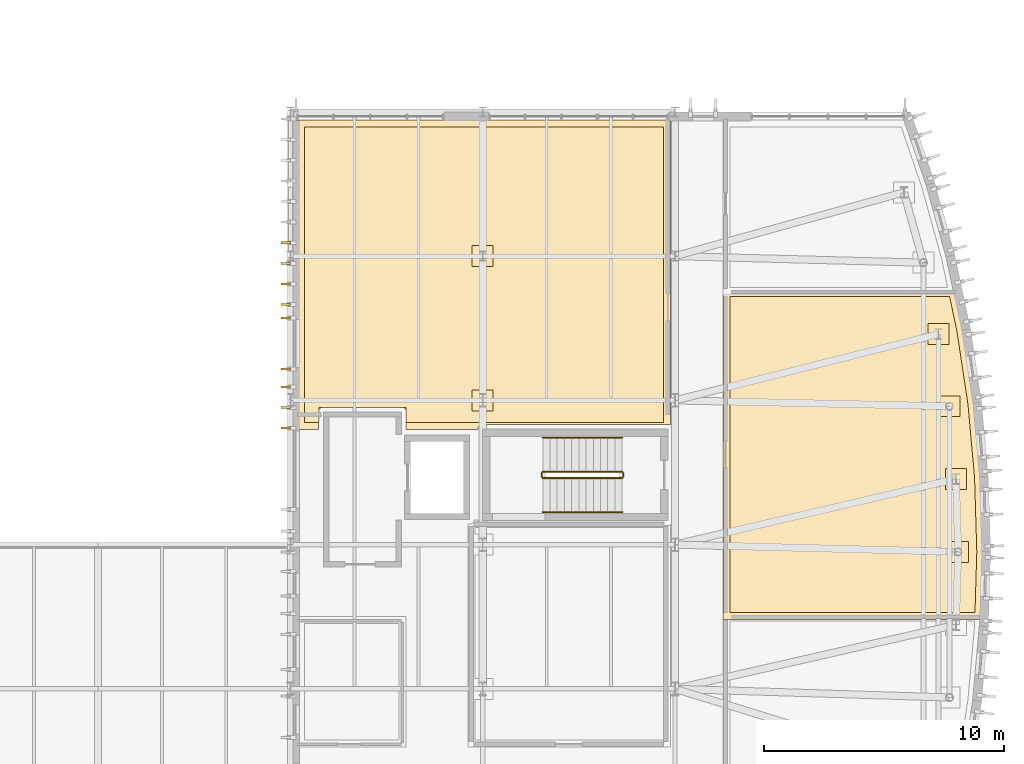
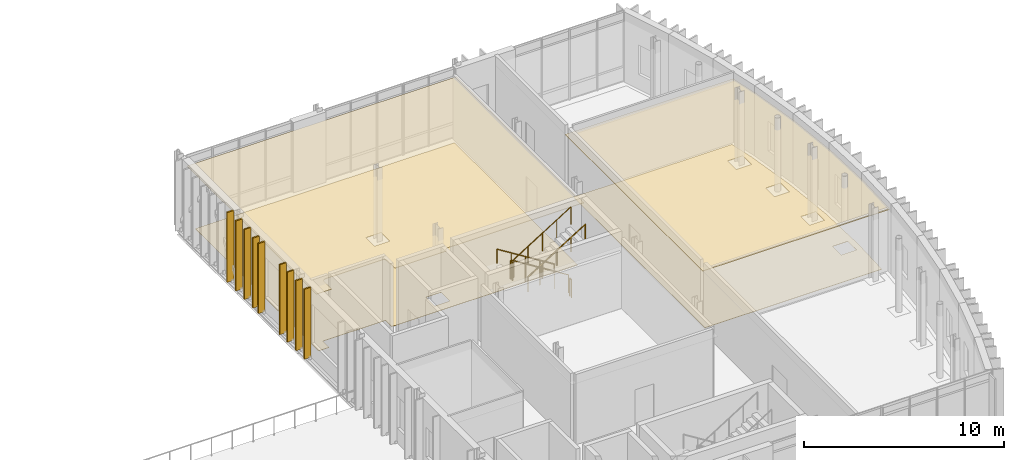
# One storey, part 61 of 62: 13 coverings, 6 railings.
"""IFC4 building model written with IfcOpenShell, lengths in metres."""

from ifc_helpers import new_model, si_unit, direction, frame, origin, origin_2d, place, context, subcontext, project, spatial, polyline, rectangle, circle, outline, extrude, material, layer, layer_set, type_object, element, save


model = new_model("IFC4")

# Units and contexts
model_context = context("Model", 3, precision=1e-05, world=origin(), true_north=direction((0.0, 1.0)))
body_context = subcontext(model_context, "Body", "Model", "MODEL_VIEW")
ifc_project = project(units=[si_unit("LENGTHUNIT", "METRE"), si_unit("AREAUNIT", "SQUARE_METRE"), si_unit("VOLUMEUNIT", "CUBIC_METRE"), si_unit("PLANEANGLEUNIT", "RADIAN"), si_unit("MASSUNIT", "GRAM", prefix="KILO")], contexts=[model_context])

# Site, building, storey
site_placement = place(None, origin())
site = spatial("IfcSite", under=ifc_project, at=site_placement, CompositionType="ELEMENT")
building_placement = place(site_placement, origin())
building = spatial("IfcBuilding", under=site, at=building_placement, Name="Cymarion Research Institute", CompositionType="ELEMENT")
storey_placement = place(building_placement, frame((0.0, 0.0, 18.300048828125)))
storey = spatial("IfcBuildingStorey", under=building, at=storey_placement, Name="L04", CompositionType="ELEMENT", Elevation=18.300048828125)

# Coverings
ifc_material_1 = material(Name="Micro-perforated mineral acoustic ceiling tile", Category="gypsum")
ifc_layer_1 = layer(ifc_material_1, 0.030029296875)
ifc_layer_set_1 = layer_set([ifc_layer_1], Name="Micro-perforated mineral acoustic ceiling tile")
covering_type_1 = type_object("IfcCoveringType", Name="ACOUSTIC MICRO-PERFORATED SUSPENDED CEILING CLG-01", PredefinedType="CEILING", material=ifc_layer_set_1)
covering_1_placement = place(storey_placement, frame((0.0, 0.0, 3.72998046875)))
element("IfcCovering", 1, at=covering_1_placement, inside=storey, type_object=covering_type_1, Name="L04 L04 North Drum Seminar & Biobank Laboratory acoustic ceiling", PredefinedType="CEILING", context=body_context, shape_type="SweptSolid", body=[
    extrude(outline(polyline([(154.4150390625, 41.1650390625), (154.4150390625, 28.46337890625), (154.4111328125, 28.46630859375), (154.394287109375, 28.476318359375), (154.37646484375, 28.48486328125), (154.358154296875, 28.491455078125), (154.339111328125, 28.49609375), (154.319580078125, 28.4990234375), (154.300048828125, 28.5), (146.60009765625, 28.5), (146.580322265625, 28.4990234375), (146.56103515625, 28.49609375), (146.5419921875, 28.491455078125), (146.5234375, 28.48486328125), (146.505615234375, 28.476318359375), (146.489013671875, 28.46630859375), (146.47314453125, 28.45458984375), (146.45849609375, 28.44140625), (146.4453125, 28.427001953125), (146.43359375, 28.4111328125), (146.423583984375, 28.394287109375), (146.415283203125, 28.37646484375), (146.40869140625, 28.358154296875), (146.40380859375, 28.339111328125), (146.40087890625, 28.319580078125), (146.39990234375, 28.300048828125), (146.39990234375, 28.284912109375), (143.419921875, 28.284912109375), (143.419921875, 29.02001953125), (143.4189453125, 29.03955078125), (143.416259765625, 29.05908203125), (143.411376953125, 29.078125), (143.40478515625, 29.096435546875), (143.396484375, 29.1142578125), (143.38623046875, 29.131103515625), (143.37451171875, 29.14697265625), (143.361328125, 29.161376953125), (143.346923828125, 29.174560546875), (143.3310546875, 29.186279296875), (143.314208984375, 29.1962890625), (143.29638671875, 29.204833984375), (143.278076171875, 29.21142578125), (143.259033203125, 29.21630859375), (143.239501953125, 29.218994140625), (143.219970703125, 29.219970703125), (139.97998046875, 29.219970703125), (139.96044921875, 29.218994140625), (139.94091796875, 29.21630859375), (139.921875, 29.21142578125), (139.903564453125, 29.204833984375), (139.8857421875, 29.1962890625), (139.868896484375, 29.186279296875), (139.85302734375, 29.174560546875), (139.838623046875, 29.161376953125), (139.825439453125, 29.14697265625), (139.813720703125, 29.131103515625), (139.8037109375, 29.1142578125), (139.795166015625, 29.096435546875), (139.78857421875, 29.078125), (139.78369140625, 29.05908203125), (139.781005859375, 29.03955078125), (139.780029296875, 29.02001953125), (139.780029296875, 28.284912109375), (138.885009765625, 28.284912109375), (138.885009765625, 41.1650390625), (154.4150390625, 41.1650390625)])), origin(), (0.0, 0.0, 1.0), 0.030029296875),
])
covering_2_placement = place(storey_placement, frame((0.0, 0.0, 3.72998046875)))
element("IfcCovering", 2, at=covering_2_placement, inside=storey, type_object=covering_type_1, Name="L04 L04 Principal Investigator Write-Up & Modelling Suite acoustic ceiling", PredefinedType="CEILING", context=body_context, shape_type="SweptSolid", body=[
    extrude(outline(polyline([(166.26318359375, 34.114990234375), (166.617431640625, 32.45068359375), (167.080078125, 29.3857421875), (167.3583984375, 26.29833984375), (167.451416015625, 23.199951171875), (167.366943359375, 20.385009765625), (156.5849609375, 20.385009765625), (156.5849609375, 34.114990234375), (166.26318359375, 34.114990234375)])), origin(), (0.0, 0.0, 1.0), 0.030029296875),
])
ifc_material_2 = material(Name="Precast concrete C45/55 architectural white", Category="concrete")
ifc_layer_2 = layer(ifc_material_2, 0.0849609375)
ifc_layer_set_2 = layer_set([ifc_layer_2], Name="Precast concrete C45/55 architectural white")
covering_type_2 = type_object("IfcCoveringType", Name="ARCHITECTURAL WHITE PRECAST CONCRETE VERTICAL FIN FIN3 380MM", PredefinedType="CLADDING", material=ifc_layer_set_2)
for number, where, z_axis, x_axis, name in (
    (3, (138.407958984375, 36.05712890625, 0.009765625), (0.0, 0.0, 1.0), (-1.0, 0.0, 0.0), "L04 V1 white precast vertical fin FIN3 #479"),
    (4, (138.407958984375, 35.199951171875, 0.009765625), (0.0, 0.0, 1.0), (-1.0, 0.0, 0.0), "L04 V1 white precast vertical fin FIN3 #480"),
    (5, (138.407958984375, 34.343017578125, 0.009765625), (0.0, 0.0, 1.0), (-1.0, 0.0, 0.0), "L04 V1 white precast vertical fin FIN3 #481"),
    (6, (138.407958984375, 33.485595703125, 0.009765625), (0.0, 0.0, 1.0), (-1.0, 0.0, 0.0), "L04 V1 white precast vertical fin FIN3 #482"),
    (7, (138.407958984375, 32.929931640625, 0.009765625), (0.0, 0.0, 1.0), (-1.0, 0.0, 0.0), "L04 V1 white precast vertical fin FIN3 #483"),
    (8, (138.407958984375, 30.81005859375, 0.009765625), (0.0, 0.0, 1.0), (-1.0, 0.0, 0.0), "L04 V1 white precast vertical fin FIN3 #484"),
    (9, (138.407958984375, 30.05712890625, 0.009765625), (0.0, 0.0, 1.0), (-1.0, 0.0, 0.0), "L04 V1 white precast vertical fin FIN3 #485"),
    (10, (138.407958984375, 29.199951171875, 0.009765625), (0.0, 0.0, 1.0), (-1.0, 0.0, 0.0), "L04 V1 white precast vertical fin FIN3 #486"),
    (11, (138.407958984375, 28.343017578125, 0.009765625), (0.0, 0.0, 1.0), (-1.0, 0.0, 0.0), "L04 V1 white precast vertical fin FIN3 #487"),
):
    element("IfcCovering", number, at=place(storey_placement, frame(where, z_axis=z_axis, x_axis=x_axis)), inside=storey, type_object=covering_type_2, Name=name, PredefinedType="CLADDING", context=body_context, shape_type="SweptSolid", body=[
        extrude(rectangle(XDim=0.3798828125, YDim=0.0849609375, at=origin_2d()), origin(), (0.0, 0.0, 1.0), 4.260009765625),
    ])

# Railings
ifc_material_3 = material(Name="Steel S355", Category="steel")
railing_type_1 = type_object("IfcRailingType", Name="PAINTED STEEL STAIR GUARDRAIL GR1 1100MM", PredefinedType="GUARDRAIL", material=ifc_material_3)
railing_1_placement = place(storey_placement, frame((152.39990234375, 26.530029296875, 0.1875)))
element("IfcRailing", 12, at=railing_1_placement, inside=storey, type_object=railing_type_1, Name="L04 ST2 stair guard 1", PredefinedType="GUARDRAIL", context=body_context, shape_type="SweptSolid", body=[
    extrude(circle(Radius=0.02392578125, at=origin_2d()), frame((0.0, 0.0, 1.076171875), z_axis=(-0.847984204989, 0.0, 0.530021497762), x_axis=(0.0, -1.0, 0.0)), (0.0, 0.0, 1.0), 3.891357421875),
    extrude(circle(Radius=0.02099609375, at=origin_2d()), origin(), (0.0, 0.0, 1.0), 1.052001953125),
    extrude(circle(Radius=0.02099609375, at=origin_2d()), frame((-0.824951171875, 0.0, 0.515625)), (0.0, 0.0, 1.0), 1.052001953125),
    extrude(circle(Radius=0.02099609375, at=origin_2d()), frame((-1.64990234375, 0.0, 1.03125)), (0.0, 0.0, 1.0), 1.052001953125),
    extrude(circle(Radius=0.02099609375, at=origin_2d()), frame((-2.474853515625, 0.0, 1.546875)), (0.0, 0.0, 1.0), 1.052001953125),
    extrude(circle(Radius=0.02099609375, at=origin_2d()), frame((-3.2998046875, 0.0, 2.0625)), (0.0, 0.0, 1.0), 1.052001953125),
])
railing_2_placement = place(storey_placement, frame((149.050048828125, 26.47998046875, 2.25)))
element("IfcRailing", 13, at=railing_2_placement, inside=storey, type_object=railing_type_1, Name="L04 ST2 stair guard 2", PredefinedType="GUARDRAIL", context=body_context, shape_type="SweptSolid", body=[
    extrude(circle(Radius=0.02392578125, at=origin_2d()), frame((0.0, 0.0, 1.076171875), z_axis=(0.0, -1.0, 0.0), x_axis=(1.0, 0.0, 0.0)), (0.0, 0.0, 1.0), 0.159912109375),
    extrude(circle(Radius=0.02099609375, at=origin_2d()), origin(), (0.0, 0.0, 1.0), 1.052001953125),
    extrude(circle(Radius=0.02099609375, at=origin_2d()), frame((0.0, -0.159912109375, 0.0)), (0.0, 0.0, 1.0), 1.052001953125),
])
railing_3_placement = place(storey_placement, frame((149.10009765625, 26.27001953125, 2.4375)))
element("IfcRailing", 14, at=railing_3_placement, inside=storey, type_object=railing_type_1, Name="L04 ST2 stair guard 3", PredefinedType="GUARDRAIL", context=body_context, shape_type="SweptSolid", body=[
    extrude(circle(Radius=0.02392578125, at=origin_2d()), frame((0.0, 0.0, 1.076171875), z_axis=(0.847984204989, 0.0, 0.530021497762), x_axis=(0.0, 1.0, 0.0)), (0.0, 0.0, 1.0), 3.891357421875),
    extrude(circle(Radius=0.02099609375, at=origin_2d()), origin(), (0.0, 0.0, 1.0), 1.052001953125),
    extrude(circle(Radius=0.02099609375, at=origin_2d()), frame((0.824951171875, 0.0, 0.515625)), (0.0, 0.0, 1.0), 1.052001953125),
    extrude(circle(Radius=0.02099609375, at=origin_2d()), frame((1.64990234375, 0.0, 1.03125)), (0.0, 0.0, 1.0), 1.052001953125),
    extrude(circle(Radius=0.02099609375, at=origin_2d()), frame((2.474853515625, 0.0, 1.546875)), (0.0, 0.0, 1.0), 1.052001953125),
    extrude(circle(Radius=0.02099609375, at=origin_2d()), frame((3.2998046875, 0.0, 2.0625)), (0.0, 0.0, 1.0), 1.052001953125),
])
railing_4_placement = place(storey_placement, frame((152.449951171875, 26.47998046875, 0.0)))
element("IfcRailing", 15, at=railing_4_placement, inside=storey, type_object=railing_type_1, Name="L04 ST2 stair guard 4", PredefinedType="GUARDRAIL", context=body_context, shape_type="SweptSolid", body=[
    extrude(circle(Radius=0.02392578125, at=origin_2d()), frame((0.0, 0.0, 1.076171875), z_axis=(0.0, -1.0, 0.0), x_axis=(1.0, 0.0, 0.0)), (0.0, 0.0, 1.0), 0.159912109375),
    extrude(circle(Radius=0.02099609375, at=origin_2d()), origin(), (0.0, 0.0, 1.0), 1.052001953125),
    extrude(circle(Radius=0.02099609375, at=origin_2d()), frame((0.0, -0.159912109375, 0.0)), (0.0, 0.0, 1.0), 1.052001953125),
])

# Coverings
ifc_material_4 = material(Name="Seamless dissipative epoxy resin flooring", Category="resin")
ifc_layer_3 = layer(ifc_material_4, 0.02001953125)
ifc_layer_set_3 = layer_set([ifc_layer_3], Name="Seamless dissipative epoxy resin flooring")
covering_type_3 = type_object("IfcCoveringType", Name="SEAMLESS ESD EPOXY LABORATORY FLOORING FLR-01", PredefinedType="FLOORING", material=ifc_layer_set_3)
covering_3_placement = place(storey_placement, origin())
element("IfcCovering", 16, at=covering_3_placement, inside=storey, type_object=covering_type_3, Name="L04 L04 North Drum Seminar & Biobank Laboratory ESD epoxy flooring", PredefinedType="FLOORING", context=body_context, shape_type="SweptSolid", body=[
    extrude(outline(polyline([(139.18505859375, 40.864990234375), (154.114990234375, 40.864990234375), (154.114990234375, 28.5849609375), (143.405029296875, 28.5849609375), (143.405029296875, 29.205078125), (139.794921875, 29.205078125), (139.794921875, 28.5849609375), (139.18505859375, 28.5849609375), (139.18505859375, 40.864990234375)]), holes=[polyline([(146.1650390625, 29.93505859375), (146.1650390625, 29.06494140625), (147.034912109375, 29.06494140625), (147.034912109375, 29.93505859375), (146.1650390625, 29.93505859375)]), polyline([(146.1650390625, 35.93505859375), (146.1650390625, 35.06494140625), (147.034912109375, 35.06494140625), (147.034912109375, 35.93505859375), (146.1650390625, 35.93505859375)])]), origin(), (0.0, 0.0, 1.0), 0.02001953125),
])
covering_4_placement = place(storey_placement, origin())
element("IfcCovering", 17, at=covering_4_placement, inside=storey, type_object=covering_type_3, Name="L04 L04 Principal Investigator Write-Up & Modelling Suite ESD epoxy flooring", PredefinedType="FLOORING", context=body_context, shape_type="SweptSolid", body=[
    extrude(outline(polyline([(156.885009765625, 33.81494140625), (166.020263671875, 33.81494140625), (166.322021484375, 32.39697265625), (166.7822265625, 29.349853515625), (167.058837890625, 26.280517578125), (167.151123046875, 23.199951171875), (167.07568359375, 20.68505859375), (156.885009765625, 20.68505859375), (156.885009765625, 33.81494140625)]), holes=[polyline([(165.94140625, 23.635009765625), (165.94140625, 22.764892578125), (166.8115234375, 22.764892578125), (166.8115234375, 23.635009765625), (165.94140625, 23.635009765625)]), polyline([(165.8505859375, 26.6689453125), (165.8505859375, 25.799072265625), (166.720458984375, 25.799072265625), (166.720458984375, 26.6689453125), (165.8505859375, 26.6689453125)]), polyline([(165.577880859375, 29.692138671875), (165.577880859375, 28.822265625), (166.447998046875, 28.822265625), (166.447998046875, 29.692138671875), (165.577880859375, 29.692138671875)]), polyline([(165.125, 32.693603515625), (165.125, 31.823486328125), (165.994873046875, 31.823486328125), (165.994873046875, 32.693603515625), (165.125, 32.693603515625)])]), origin(), (0.0, 0.0, 1.0), 0.02001953125),
])

# Railings
railing_type_2 = type_object("IfcRailingType", Name="STAINLESS STEEL STAIR HANDRAIL HR1 900MM", PredefinedType="HANDRAIL", material=ifc_material_3)
railing_5_placement = place(storey_placement, frame((152.39990234375, 27.949951171875, 0.1875)))
element("IfcRailing", 18, at=railing_5_placement, inside=storey, type_object=railing_type_2, Name="L04 ST2 stair handrail 1", PredefinedType="HANDRAIL", context=body_context, shape_type="SweptSolid", body=[
    extrude(circle(Radius=0.02392578125, at=origin_2d()), frame((0.0, 0.0, 0.8759765625), z_axis=(-0.847984204989, 0.0, 0.530021497762), x_axis=(0.0, -1.0, 0.0)), (0.0, 0.0, 1.0), 3.891357421875),
    extrude(circle(Radius=0.02099609375, at=origin_2d()), origin(), (0.0, 0.0, 1.0), 0.851806640625),
    extrude(circle(Radius=0.02099609375, at=origin_2d()), frame((-0.824951171875, 0.0, 0.515625)), (0.0, 0.0, 1.0), 0.851806640625),
    extrude(circle(Radius=0.02099609375, at=origin_2d()), frame((-1.64990234375, 0.0, 1.03125)), (0.0, 0.0, 1.0), 0.851806640625),
    extrude(circle(Radius=0.02099609375, at=origin_2d()), frame((-2.474853515625, 0.0, 1.546875)), (0.0, 0.0, 1.0), 0.851806640625),
    extrude(circle(Radius=0.02099609375, at=origin_2d()), frame((-3.2998046875, 0.0, 2.0625)), (0.0, 0.0, 1.0), 0.851806640625),
])
railing_6_placement = place(storey_placement, frame((149.10009765625, 24.85009765625, 2.4375)))
element("IfcRailing", 19, at=railing_6_placement, inside=storey, type_object=railing_type_2, Name="L04 ST2 stair handrail 2", PredefinedType="HANDRAIL", context=body_context, shape_type="SweptSolid", body=[
    extrude(circle(Radius=0.02392578125, at=origin_2d()), frame((0.0, 0.0, 0.8759765625), z_axis=(0.847984204989, 0.0, 0.530021497762), x_axis=(0.0, 1.0, 0.0)), (0.0, 0.0, 1.0), 3.891357421875),
    extrude(circle(Radius=0.02099609375, at=origin_2d()), origin(), (0.0, 0.0, 1.0), 0.851806640625),
    extrude(circle(Radius=0.02099609375, at=origin_2d()), frame((0.824951171875, 0.0, 0.515625)), (0.0, 0.0, 1.0), 0.851806640625),
    extrude(circle(Radius=0.02099609375, at=origin_2d()), frame((1.64990234375, 0.0, 1.03125)), (0.0, 0.0, 1.0), 0.851806640625),
    extrude(circle(Radius=0.02099609375, at=origin_2d()), frame((2.474853515625, 0.0, 1.546875)), (0.0, 0.0, 1.0), 0.851806640625),
    extrude(circle(Radius=0.02099609375, at=origin_2d()), frame((3.2998046875, 0.0, 2.0625)), (0.0, 0.0, 1.0), 0.851806640625),
])

save(model, "model.ifc")
